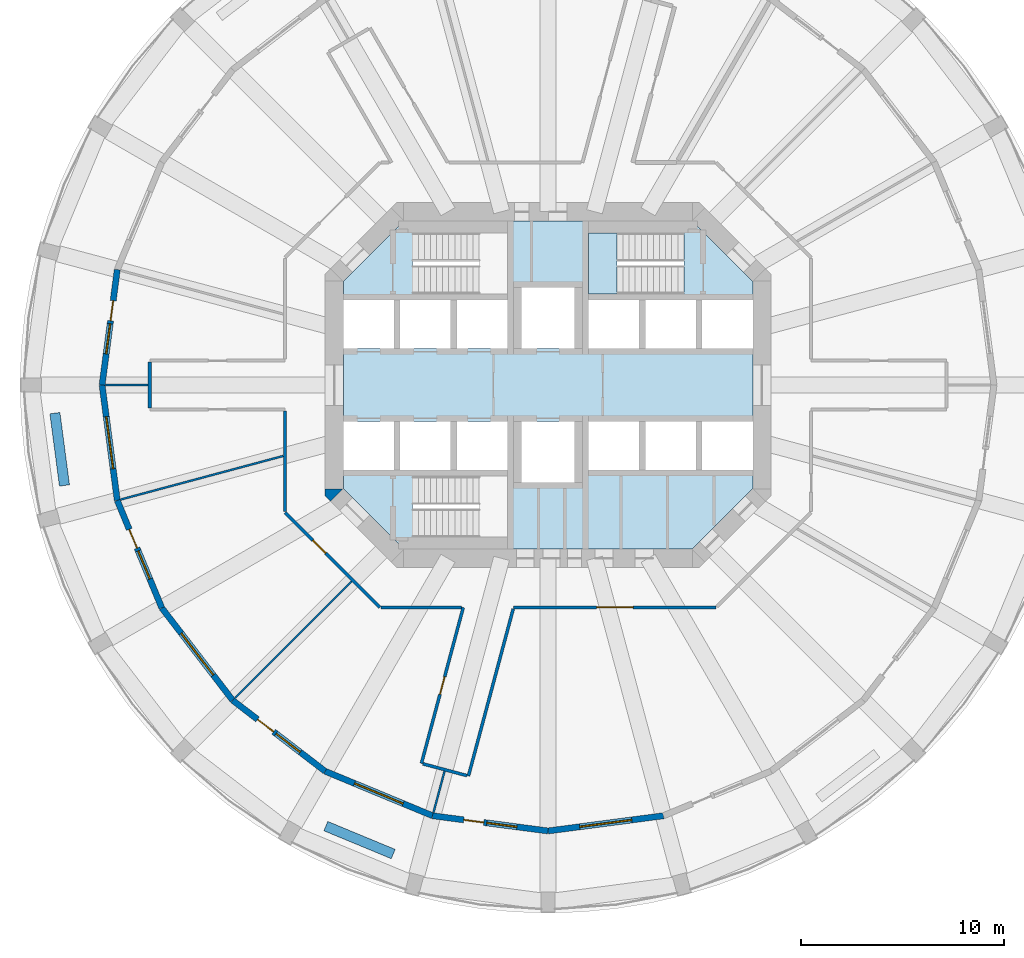
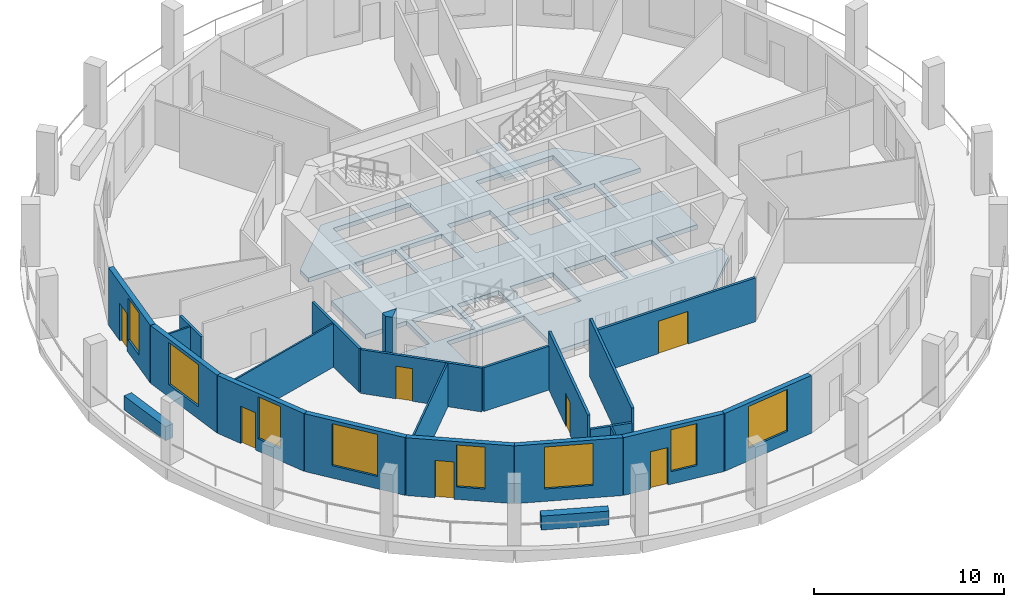
# One storey, part 2 of 9: 23 walls, 8 windows, 7 doors, 2 slabs, 15 openings, 1 element without a shape of its own.
"""IFC4 building model written with IfcOpenShell, lengths in metres."""

import ifcopenshell
import ifcopenshell.guid

model = None  # the IFC model being written
_history = None  # IfcOwnerHistory: only IFC2X3 demands one
_inside = {}  # id of a spatial element -> (the spatial element, [elements in it])
_under = {}  # id of a project, library or spatial element -> (it, [spatial elements below it])
_declared = {}  # id of a project -> (the project, [libraries it declares])
_typed = {}  # id of a type object -> (the type object, [elements of that type])
_made_of = {}  # id of a material, layer set ... -> (it, [elements and type objects made of it])


def new_model(schema):
    """Start an empty IFC model of exactly this schema.

    Asked for "IFC4X3", IfcOpenShell would pick the latest addendum, in which some entities
    have other attributes; the version numbers below select the first issue.
    IFC2X3 requires an IfcOwnerHistory on every rooted entity: one is made here for all.
    """
    global model, _history
    if schema == "IFC4X3":
        model = ifcopenshell.file(schema_version=(4, 3, 0, 0))
    else:
        model = ifcopenshell.file(schema=schema)
    _inside.clear()
    _under.clear()
    _declared.clear()
    _typed.clear()
    _made_of.clear()
    _history = None
    if model.schema == "IFC2X3":
        org = make("IfcOrganization", Name="unknown")
        user = make(
            "IfcPersonAndOrganization",
            ThePerson=make("IfcPerson", FamilyName="unknown"),
            TheOrganization=org,
        )
        app = make(
            "IfcApplication",
            ApplicationDeveloper=org,
            Version="unknown",
            ApplicationFullName="unknown",
            ApplicationIdentifier="unknown",
        )
        _history = make(
            "IfcOwnerHistory",
            OwningUser=user,
            OwningApplication=app,
            ChangeAction="ADDED",
            CreationDate=0,
        )
    return model


def make(cls, **values):
    """One entity of the class cls with the attributes given. An attribute that is None is left unset."""
    return model.create_entity(
        cls, **{name: value for name, value in values.items() if value is not None}
    )


def rooted(cls, **values):
    """An entity with a GlobalId (a new one), such as an element, a storey or a relation."""
    return make(cls, GlobalId=ifcopenshell.guid.new(), OwnerHistory=_history, **values)


def si_unit(unit_type, name, prefix=None):
    """IfcSIUnit, for example si_unit("LENGTHUNIT", "METRE", prefix="MILLI")."""
    return make("IfcSIUnit", UnitType=unit_type, Prefix=prefix, Name=name)


def assignment(units):
    """IfcUnitAssignment: the units of a project."""
    return None if units is None else make("IfcUnitAssignment", Units=units)


def point(xyz):
    """IfcCartesianPoint."""
    return None if xyz is None else make("IfcCartesianPoint", Coordinates=xyz)


def direction(xyz):
    """IfcDirection."""
    return None if xyz is None else make("IfcDirection", DirectionRatios=xyz)


def frame(location, z_axis=None, x_axis=None):
    """IfcAxis2Placement3D, a coordinate frame: its origin and axes. An axis left out is left unset."""
    return make(
        "IfcAxis2Placement3D",
        Location=point(location),
        Axis=direction(z_axis),
        RefDirection=direction(x_axis),
    )


def frame_2d(location, x_axis=None):
    """IfcAxis2Placement2D, a coordinate frame in the plane: its origin and x axis."""
    return make(
        "IfcAxis2Placement2D", Location=point(location), RefDirection=direction(x_axis)
    )


def origin():
    """The frame at (0, 0, 0) with its axes left unset."""
    return frame((0.0, 0.0, 0.0))


def place(relative_to, where):
    """IfcLocalPlacement: puts the frame where relative to a parent placement (None: the world)."""
    return make(
        "IfcLocalPlacement", PlacementRelTo=relative_to, RelativePlacement=where
    )


def context(
    kind, dimensions, precision=None, world=None, true_north=None, identifier=None
):
    """IfcGeometricRepresentationContext, for example the 3D "Model" context."""
    return make(
        "IfcGeometricRepresentationContext",
        ContextIdentifier=identifier,
        ContextType=kind,
        CoordinateSpaceDimension=dimensions,
        Precision=precision,
        WorldCoordinateSystem=world,
        TrueNorth=true_north,
    )


def subcontext(parent, identifier, kind, view, scale=None):
    """IfcGeometricRepresentationSubContext, for example "Body" below "Model"."""
    return make(
        "IfcGeometricRepresentationSubContext",
        ContextIdentifier=identifier,
        ContextType=kind,
        ParentContext=parent,
        TargetScale=scale,
        TargetView=view,
    )


def project(units=None, contexts=None):
    """IfcProject with its units and contexts."""
    return rooted(
        "IfcProject",
        Name="project",
        RepresentationContexts=contexts,
        UnitsInContext=assignment(units),
    )


def spatial(cls, under=None, at=None, **own):
    """A site, building, storey or space (cls), placed at a placement, below another one or the project."""
    s = rooted(cls, ObjectPlacement=at, **own)
    if under is not None:
        _under.setdefault(under.id(), (under, []))[1].append(s)
    return s


def polyline(points):
    """IfcPolyline through the points."""
    return make("IfcPolyline", Points=[point(p) for p in points])


def profile(cls, at=None, kind="AREA", **sizes):
    """A parametric profile (cls). Its sizes go by their IFC names, for example OverallWidth=200.0."""
    return make(cls, ProfileType=kind, Position=at, **sizes)


def rectangle(**sizes):
    """IfcRectangleProfileDef."""
    return profile("IfcRectangleProfileDef", **sizes)


def outline(outer, holes=None, kind="AREA"):
    """IfcArbitraryClosedProfileDef: a profile drawn as a closed curve; with holes, ...WithVoids."""
    if holes is None:
        return make("IfcArbitraryClosedProfileDef", ProfileType=kind, OuterCurve=outer)
    return make(
        "IfcArbitraryProfileDefWithVoids",
        ProfileType=kind,
        OuterCurve=outer,
        InnerCurves=holes,
    )


def extrude(swept, where, along, depth):
    """IfcExtrudedAreaSolid: the profile swept, set in the frame where, extruded along a direction by depth."""
    return make(
        "IfcExtrudedAreaSolid",
        SweptArea=swept,
        Position=where,
        ExtrudedDirection=direction(along),
        Depth=depth,
    )


def shape(context_of_items, identifier, shape_type, items):
    """IfcShapeRepresentation: the items that make up one representation, for example the "Body"."""
    return make(
        "IfcShapeRepresentation",
        ContextOfItems=context_of_items,
        RepresentationIdentifier=identifier,
        RepresentationType=shape_type,
        Items=items,
    )


def material(Name=None, Category=None):
    """IfcMaterial."""
    return make("IfcMaterial", Name=Name, Category=Category)


def layer(
    of_material, thickness, ventilated=None, Name=None, Category=None, Priority=None
):
    """IfcMaterialLayer: one layer of a wall or slab, of a material (None: an air gap)."""
    return make(
        "IfcMaterialLayer",
        Material=of_material,
        LayerThickness=thickness,
        IsVentilated=ventilated,
        Name=Name,
        Category=Category,
        Priority=Priority,
    )


def layer_set(layers, Name=None):
    """IfcMaterialLayerSet."""
    return make("IfcMaterialLayerSet", MaterialLayers=layers, LayerSetName=Name)


def made_of(thing, what):
    """Note that an element or type object is made of a material, layer set ...; save() writes the relation."""
    if what is not None:
        _made_of.setdefault(what.id(), (what, []))[1].append(thing)
    return thing


def type_object(cls, material=None, **own):
    """A type object (cls), such as IfcWallType, which elements share."""
    return made_of(rooted(cls, **own), material)


def element(
    cls,
    number,
    at=None,
    inside=None,
    cuts=None,
    type_object=None,
    material=None,
    context=None,
    identifier="Body",
    shape_type=None,
    held_by="IfcProductDefinitionShape",
    body=None,
    shapes=None,
    **own,
):
    """One element of the class cls, such as IfcWall. Its Tag is "e" and its number.

    at: its placement. inside: the storey or other place that contains it. cuts: it is an
    opening in that element (IfcRelVoidsElement). A single representation is given by context,
    identifier, shape_type and body (its items); several are given by shapes. held_by: the class
    of the entity that holds the representations. save() writes the other relations.
    """
    e = rooted(cls, Tag="e%d" % number, ObjectPlacement=at, **own)
    if body is not None:
        shapes = [shape(context, identifier, shape_type, body)]
    if shapes is not None:
        e.Representation = make(held_by, Representations=shapes)
    if inside is not None:
        _inside.setdefault(inside.id(), (inside, []))[1].append(e)
    if cuts is not None:
        rooted(
            "IfcRelVoidsElement", RelatingBuildingElement=cuts, RelatedOpeningElement=e
        )
    if type_object is not None:
        _typed.setdefault(type_object.id(), (type_object, []))[1].append(e)
    return made_of(e, material)


def fill(opening, filler):
    """IfcRelFillsElement: the door or window that sits in an opening."""
    return rooted(
        "IfcRelFillsElement",
        RelatingOpeningElement=opening,
        RelatedBuildingElement=filler,
    )


def aggregate(whole, parts):
    """IfcRelAggregates: a whole, such as a stair, and the parts it consists of."""
    return rooted("IfcRelAggregates", RelatingObject=whole, RelatedObjects=parts)


def save(model, path):
    """Write the relations noted so far, then the file.

    IfcRelAggregates (storeys below a building ...), IfcRelContainedInSpatialStructure (elements
    in a storey), IfcRelDefinesByType, IfcRelAssociatesMaterial and IfcRelDeclares: one each for
    every whole, place, type object, material and project.
    """
    for whole, parts in _under.values():
        aggregate(whole, parts)
    for where, things in _inside.values():
        rooted(
            "IfcRelContainedInSpatialStructure",
            RelatedElements=things,
            RelatingStructure=where,
        )
    for kind, things in _typed.values():
        rooted("IfcRelDefinesByType", RelatedObjects=things, RelatingType=kind)
    for what, things in _made_of.values():
        rooted("IfcRelAssociatesMaterial", RelatedObjects=things, RelatingMaterial=what)
    for by, libraries in _declared.values():
        rooted("IfcRelDeclares", RelatingContext=by, RelatedDefinitions=libraries)
    model.write(path)


model = new_model("IFC4")

# Units and contexts
model_context = context("Model", 3, precision=1e-05, world=origin(), true_north=direction((0.0, 1.0)))
body_context = subcontext(model_context, "Body", "Model", "MODEL_VIEW")
ifc_project = project(units=[si_unit("LENGTHUNIT", "METRE"), si_unit("AREAUNIT", "SQUARE_METRE"), si_unit("VOLUMEUNIT", "CUBIC_METRE"), si_unit("PLANEANGLEUNIT", "RADIAN"), si_unit("MASSUNIT", "GRAM", prefix="KILO")], contexts=[model_context])

# Site, building, storey
site_placement = place(None, origin())
site = spatial("IfcSite", under=ifc_project, at=site_placement, CompositionType="ELEMENT")
building_placement = place(site_placement, origin())
building = spatial("IfcBuilding", under=site, at=building_placement, Name="Torre Triforio", CompositionType="ELEMENT")
storey_placement = place(building_placement, frame((0.0, 0.0, 98.60009765625)))
storey = spatial("IfcBuildingStorey", under=building, at=storey_placement, Name="L21", CompositionType="ELEMENT", Elevation=98.60009765625)

# Slab
ifc_material_1 = material(Name="Concrete C60", Category="concrete")
ifc_layer_1 = layer(ifc_material_1, 0.280029296875)
ifc_layer_set_1 = layer_set([ifc_layer_1], Name="Concrete C60")
slab_type_1 = type_object("IfcSlabType", Name="Core floor slab 280 mm C60 REI 120", PredefinedType="FLOOR", material=ifc_layer_set_1)
slab_1_placement = place(storey_placement, frame((0.0, 0.0, -0.280029296875)))
element("IfcSlab", 1, at=slab_1_placement, inside=storey, type_object=slab_type_1, Name="Core floor slab", PredefinedType="FLOOR", context=body_context, shape_type="SweptSolid", body=[
    extrude(outline(polyline([(10.10009765625, -5.10009765625), (7.10009765625, -8.10009765625), (-7.10009765625, -8.10009765625), (-10.10009765625, -5.10009765625), (-10.10009765625, -4.199951171875), (-7.60009765625, -4.199951171875), (-7.60009765625, -1.800048828125), (-10.10009765625, -1.800048828125), (-10.10009765625, 1.800048828125), (-7.60009765625, 1.800048828125), (-7.60009765625, 4.199951171875), (-10.10009765625, 4.199951171875), (-10.10009765625, 5.10009765625), (-7.10009765625, 8.10009765625), (7.10009765625, 8.10009765625), (10.10009765625, 5.10009765625), (10.10009765625, 4.199951171875), (7.60009765625, 4.199951171875), (7.60009765625, 1.800048828125), (10.10009765625, 1.800048828125), (10.10009765625, -1.800048828125), (7.60009765625, -1.800048828125), (7.60009765625, -4.199951171875), (10.10009765625, -4.199951171875), (10.10009765625, -5.10009765625)]), holes=[polyline([(-2.0, -4.5), (-6.696044921875, -4.5), (-6.696044921875, -7.5), (-2.0, -7.5), (-2.0, -4.5)]), polyline([(-4.800048828125, -1.800048828125), (-7.300048828125, -1.800048828125), (-7.300048828125, -4.199951171875), (-4.800048828125, -4.199951171875), (-4.800048828125, -1.800048828125)]), polyline([(-2.0, -1.800048828125), (-4.5, -1.800048828125), (-4.5, -4.199951171875), (-2.0, -4.199951171875), (-2.0, -1.800048828125)]), polyline([(-4.800048828125, 4.199951171875), (-7.300048828125, 4.199951171875), (-7.300048828125, 1.800048828125), (-4.800048828125, 1.800048828125), (-4.800048828125, 4.199951171875)]), polyline([(-2.0, 4.199951171875), (-4.5, 4.199951171875), (-4.5, 1.800048828125), (-2.0, 1.800048828125), (-2.0, 4.199951171875)]), polyline([(1.300048828125, 4.800048828125), (-1.300048828125, 4.800048828125), (-1.300048828125, 1.800048828125), (1.300048828125, 1.800048828125), (1.300048828125, 4.800048828125)]), polyline([(-2.0, 7.5), (-6.696044921875, 7.5), (-6.696044921875, 4.5), (-2.0, 4.5), (-2.0, 7.5)]), polyline([(1.300048828125, -1.800048828125), (-1.300048828125, -1.800048828125), (-1.300048828125, -4.800048828125), (1.300048828125, -4.800048828125), (1.300048828125, -1.800048828125)]), polyline([(4.5, -1.800048828125), (2.0, -1.800048828125), (2.0, -4.199951171875), (4.5, -4.199951171875), (4.5, -1.800048828125)]), polyline([(7.300048828125, -1.800048828125), (4.800048828125, -1.800048828125), (4.800048828125, -4.199951171875), (7.300048828125, -4.199951171875), (7.300048828125, -1.800048828125)]), polyline([(4.5, 4.199951171875), (2.0, 4.199951171875), (2.0, 1.800048828125), (4.5, 1.800048828125), (4.5, 4.199951171875)]), polyline([(7.300048828125, 4.199951171875), (4.800048828125, 4.199951171875), (4.800048828125, 1.800048828125), (7.300048828125, 1.800048828125), (7.300048828125, 4.199951171875)]), polyline([(6.696044921875, 4.5), (6.696044921875, 7.5), (2.0, 7.5), (2.0, 4.5), (6.696044921875, 4.5)])]), origin(), (0.0, 0.0, 1.0), 0.280029296875),
])

# Stair, slab
ifc_material_2 = material(Name="Concrete C40", Category="concrete")
stair_type = type_object("IfcStairType", Name="STAIR HALF-TURN", PredefinedType="HALF_TURN_STAIR", material=ifc_material_2)
stair_placement = place(storey_placement, origin())
stair = element("IfcStair", 2, at=stair_placement, inside=storey, type_object=stair_type, Name="Exit stair 2", PredefinedType="HALF_TURN_STAIR")
ifc_layer_2 = layer(ifc_material_2, 0.199951171875)
ifc_layer_set_2 = layer_set([ifc_layer_2], Name="Concrete C40")
slab_type_2 = type_object("IfcSlabType", Name="STAIR LANDING 200", PredefinedType="LANDING", material=ifc_layer_set_2)
slab_2_placement = place(storey_placement, frame((0.0, 0.0, 1.7998046875)))
slab_2 = element("IfcSlab", 3, at=slab_2_placement, type_object=slab_type_2, Name="ST2 landing 1", PredefinedType="LANDING", context=body_context, shape_type="SweptSolid", body=[
    extrude(outline(polyline([(3.39990234375, 4.5), (3.39990234375, 7.5), (2.0, 7.5), (2.0, 4.5), (3.39990234375, 4.5)])), origin(), (0.0, 0.0, 1.0), 0.2001953125),
])
aggregate(stair, [slab_2])

# Wall
ifc_layer_3 = layer(ifc_material_1, 0.89990234375)
ifc_layer_set_3 = layer_set([ifc_layer_3], Name="Concrete C60")
wall_type_1 = type_object("IfcWallType", Name="Core wall 900 mm C60 EI 120", PredefinedType="SHEAR", material=ifc_layer_set_3)
wall_1_placement = place(storey_placement, frame((0.0, 0.0, -0.280029296875)))
element("IfcWall", 4, at=wall_1_placement, inside=storey, type_object=wall_type_1, Name="Core wall", PredefinedType="SHEAR", context=body_context, shape_type="SweptSolid", body=[
    extrude(outline(polyline([(-11.0, -5.472900390625), (-11.0, -5.1298828125), (-10.1298828125, -5.1298828125), (-10.736328125, -5.736328125), (-11.0, -5.472900390625)])), origin(), (0.0, 0.0, 1.0), 4.0),
])

# Wall, opening, door
ifc_material_3 = material(Name="Plasterboard on metal studs")
ifc_layer_4 = layer(ifc_material_3, 0.14990234375)
ifc_layer_set_4 = layer_set([ifc_layer_4], Name="Plasterboard on metal studs")
wall_type_2 = type_object("IfcWallType", Name="Corridor and tenancy wall 150 mm EI 60", PredefinedType="PARTITIONING", material=ifc_layer_set_4)
wall_2_placement = place(storey_placement, frame((-8.291015625, -10.97509765625, 0.0), z_axis=(0.0, 0.0, 1.0), x_axis=(-0.707106781187, 0.707106781187, 0.0)))
wall_2 = element("IfcWall", 5, at=wall_2_placement, inside=storey, type_object=wall_type_2, Name="Partition 1", PredefinedType="PARTITIONING", context=body_context, shape_type="SweptSolid", body=[
    extrude(rectangle(XDim=6.624267578125, YDim=0.14990234375, at=frame_2d((3.31201171875, 0.0))), origin(), (0.0, 0.0, 1.0), 2.81982421875),
])
opening_1_placement = place(wall_2_placement, frame((3.7861328125, 0.0, 0.0)))
opening_1 = element("IfcOpeningElement", 6, at=opening_1_placement, cuts=wall_2, Name="Opening N7-04", PredefinedType="OPENING", context=body_context, shape_type="SweptSolid", body=[
    extrude(rectangle(XDim=0.89990234375, YDim=2.10009765625, at=frame_2d((0.449951171875, 1.050048828125))), frame((0.0, 0.0849609375, 0.0), z_axis=(0.0, -1.0, 0.0), x_axis=(1.0, 0.0, 0.0)), (0.0, 0.0, 1.0), 0.169921875),
])
ifc_material_4 = material(Name="Timber", Category="wood")
door_type_1 = type_object("IfcDoorType", Name="Door 900 x 2100 single leaf EI 30", OperationType="NOTDEFINED", PredefinedType="DOOR", material=ifc_material_4)
door_1_placement = place(opening_1_placement, origin())
door_1 = element("IfcDoor", 7, at=door_1_placement, inside=storey, type_object=door_type_1, Name="Door N7-04", OperationType="SINGLE_SWING_RIGHT", OverallHeight=2.10009765625, OverallWidth=0.89990234375, PredefinedType="DOOR", context=body_context, shape_type="SweptSolid", body=[
    extrude(rectangle(XDim=0.89990234375, YDim=2.10009765625, at=frame_2d((0.449951171875, 1.050048828125))), frame((0.0, 0.02490234375, 0.0), z_axis=(0.0, -1.0, 0.0), x_axis=(1.0, 0.0, 0.0)), (0.0, 0.0, 1.0), 0.050048828125),
])
fill(opening_1, door_1)

# Walls
wall_3_placement = place(storey_placement, frame((-12.97509765625, -6.23828125, 0.0), z_axis=(0.0, 0.0, 1.0), x_axis=(0.0, 1.0, 0.0)))
element("IfcWall", 8, at=wall_3_placement, inside=storey, type_object=wall_type_2, Name="Partition 2", PredefinedType="PARTITIONING", context=body_context, shape_type="SweptSolid", body=[
    extrude(rectangle(XDim=4.96337890625, YDim=0.14990234375, at=frame_2d((2.481689453125, 0.0))), origin(), (0.0, 0.0, 1.0), 2.81982421875),
])
wall_4_placement = place(storey_placement, frame((-19.648681640625, -1.125, 0.0), z_axis=(0.0, 0.0, 1.0), x_axis=(0.0, 1.0, 0.0)))
element("IfcWall", 9, at=wall_4_placement, inside=storey, type_object=wall_type_2, Name="Partition 4", PredefinedType="PARTITIONING", context=body_context, shape_type="SweptSolid", body=[
    extrude(rectangle(XDim=2.25, YDim=0.14990234375, at=frame_2d((1.125, 0.0))), origin(), (0.0, 0.0, 1.0), 2.81982421875),
])

# Wall, opening, door
wall_5_placement = place(storey_placement, frame((8.291015625, -10.97509765625, 0.0), z_axis=(0.0, 0.0, 1.0), x_axis=(-1.0, 0.0, 0.0)))
wall_5 = element("IfcWall", 10, at=wall_5_placement, inside=storey, type_object=wall_type_2, Name="Partition 26", PredefinedType="PARTITIONING", context=body_context, shape_type="SweptSolid", body=[
    extrude(rectangle(XDim=9.989501953125, YDim=0.14990234375, at=frame_2d((4.99462890625, 0.0))), origin(), (0.0, 0.0, 1.0), 2.81982421875),
])
opening_2_placement = place(wall_5_placement, frame((4.094482421875, 0.0, 0.0)))
opening_2 = element("IfcOpeningElement", 11, at=opening_2_placement, cuts=wall_5, Name="Opening N7-06", PredefinedType="OPENING", context=body_context, shape_type="SweptSolid", body=[
    extrude(rectangle(XDim=1.800048828125, YDim=2.10009765625, at=frame_2d((0.89990234375, 1.050048828125))), frame((0.0, 0.0849609375, 0.0), z_axis=(0.0, -1.0, 0.0), x_axis=(1.0, 0.0, 0.0)), (0.0, 0.0, 1.0), 0.169921875),
])
door_type_2 = type_object("IfcDoorType", Name="Door 1800 x 2100 double leaf EI 30", OperationType="DOUBLE_DOOR_SINGLE_SWING", PredefinedType="DOOR", material=ifc_material_4)
door_2_placement = place(opening_2_placement, origin())
door_2 = element("IfcDoor", 12, at=door_2_placement, inside=storey, type_object=door_type_2, Name="Door N7-06", OperationType="DOUBLE_DOOR_SINGLE_SWING", OverallHeight=2.10009765625, OverallWidth=1.800048828125, PredefinedType="DOOR", context=body_context, shape_type="SweptSolid", body=[
    extrude(rectangle(XDim=1.800048828125, YDim=2.10009765625, at=frame_2d((0.89990234375, 1.050048828125))), frame((0.0, 0.02490234375, 0.0), z_axis=(0.0, -1.0, 0.0), x_axis=(1.0, 0.0, 0.0)), (0.0, 0.0, 1.0), 0.050048828125),
])
fill(opening_2, door_2)

# Walls
wall_6_placement = place(storey_placement, frame((-1.71728515625, -11.044921875, 0.0), z_axis=(0.0, 0.0, 1.0), x_axis=(-0.258794702264, -0.965932348604, 0.0)))
element("IfcWall", 13, at=wall_6_placement, inside=storey, type_object=wall_type_2, Name="Partition 27", PredefinedType="PARTITIONING", context=body_context, shape_type="SweptSolid", body=[
    extrude(rectangle(XDim=8.53564453125, YDim=0.14990234375, at=frame_2d((4.267822265625, 0.0))), origin(), (0.0, 0.0, 1.0), 3.719970703125),
])
wall_7_placement = place(storey_placement, frame((-3.998779296875, -19.2705078125, 0.0), z_axis=(0.0, 0.0, 1.0), x_axis=(-0.965906393436, 0.258891558609, 0.0)))
element("IfcWall", 14, at=wall_7_placement, inside=storey, type_object=wall_type_2, Name="Partition 28", PredefinedType="PARTITIONING", context=body_context, shape_type="SweptSolid", body=[
    extrude(rectangle(XDim=2.25, YDim=0.14990234375, at=frame_2d((1.125, 0.0))), origin(), (0.0, 0.0, 1.0), 2.81982421875),
])

# Wall, opening, door
wall_8_placement = place(storey_placement, frame((-6.24462890625, -18.668701171875, 0.0), z_axis=(0.0, 0.0, 1.0), x_axis=(0.258822393938, 0.965924928965, 0.0)))
wall_8 = element("IfcWall", 15, at=wall_8_placement, inside=storey, type_object=wall_type_2, Name="Partition 29", PredefinedType="PARTITIONING", context=body_context, shape_type="SweptSolid", body=[
    extrude(rectangle(XDim=7.965087890625, YDim=0.14990234375, at=frame_2d((3.982421875, 0.0))), origin(), (0.0, 0.0, 1.0), 3.719970703125),
])
opening_3_placement = place(wall_8_placement, frame((3.532470703125, 0.0, 0.0)))
opening_3 = element("IfcOpeningElement", 16, at=opening_3_placement, cuts=wall_8, Name="Opening N7-05", PredefinedType="OPENING", context=body_context, shape_type="SweptSolid", body=[
    extrude(rectangle(XDim=0.89990234375, YDim=2.10009765625, at=frame_2d((0.449951171875, 1.050048828125))), frame((0.0, 0.0849609375, 0.0), z_axis=(0.0, -1.0, 0.0), x_axis=(1.0, 0.0, 0.0)), (0.0, 0.0, 1.0), 0.169921875),
])
door_3_placement = place(opening_3_placement, origin())
door_3 = element("IfcDoor", 17, at=door_3_placement, inside=storey, type_object=door_type_1, Name="Door N7-05", OperationType="SINGLE_SWING_LEFT", OverallHeight=2.10009765625, OverallWidth=0.89990234375, PredefinedType="DOOR", context=body_context, shape_type="SweptSolid", body=[
    extrude(rectangle(XDim=0.89990234375, YDim=2.10009765625, at=frame_2d((0.449951171875, 1.050048828125))), frame((0.0, 0.02490234375, 0.0), z_axis=(0.0, -1.0, 0.0), x_axis=(1.0, 0.0, 0.0)), (0.0, 0.0, 1.0), 0.050048828125),
])
fill(opening_3, door_3)

# Walls
wall_9_placement = place(storey_placement, frame((-4.280517578125, -10.97509765625, 0.0), z_axis=(0.0, 0.0, 1.0), x_axis=(-1.0, 0.0, 0.0)))
element("IfcWall", 18, at=wall_9_placement, inside=storey, type_object=wall_type_2, Name="Partition 30", PredefinedType="PARTITIONING", context=body_context, shape_type="SweptSolid", body=[
    extrude(rectangle(XDim=3.957763671875, YDim=0.14990234375, at=frame_2d((1.97900390625, 0.0))), origin(), (0.0, 0.0, 1.0), 2.81982421875),
])
ifc_layer_5 = layer(ifc_material_3, 0.10009765625)
ifc_layer_set_5 = layer_set([ifc_layer_5], Name="Plasterboard on metal studs")
wall_type_3 = type_object("IfcWallType", Name="Partition 100 mm board on metal studs", PredefinedType="PARTITIONING", material=ifc_layer_set_5)
wall_10_placement = place(storey_placement, frame((-19.7236328125, 0.0, 0.0), z_axis=(0.0, 0.0, 1.0), x_axis=(-1.0, 0.0, 0.0)))
element("IfcWall", 19, at=wall_10_placement, inside=storey, type_object=wall_type_3, Name="Partition 39", PredefinedType="PARTITIONING", context=body_context, shape_type="SweptSolid", body=[
    extrude(rectangle(XDim=2.113037109375, YDim=0.10009765625, at=frame_2d((1.056640625, 0.0))), origin(), (0.0, 0.0, 1.0), 2.81982421875),
])
wall_11_placement = place(storey_placement, frame((-13.064208984375, -3.50048828125, 0.0), z_axis=(0.0, 0.0, 1.0), x_axis=(-0.965920254223, -0.258839839442, 0.0)))
element("IfcWall", 20, at=wall_11_placement, inside=storey, type_object=wall_type_3, Name="Partition 40", PredefinedType="PARTITIONING", context=body_context, shape_type="SweptSolid", body=[
    extrude(rectangle(XDim=8.3115234375, YDim=0.10009765625, at=frame_2d((4.15576171875, 0.0))), origin(), (0.0, 0.0, 1.0), 2.81982421875),
])
wall_12_placement = place(storey_placement, frame((-9.68603515625, -9.68603515625, 0.0), z_axis=(0.0, 0.0, 1.0), x_axis=(-0.707106781187, -0.707106781187, 0.0)))
element("IfcWall", 21, at=wall_12_placement, inside=storey, type_object=wall_type_3, Name="Partition 41", PredefinedType="PARTITIONING", context=body_context, shape_type="SweptSolid", body=[
    extrude(rectangle(XDim=8.138671875, YDim=0.10009765625, at=frame_2d((4.0693359375, 0.0))), origin(), (0.0, 0.0, 1.0), 2.81982421875),
])
wall_13_placement = place(storey_placement, frame((-5.10498046875, -19.051513671875, 0.0), z_axis=(0.0, 0.0, 1.0), x_axis=(-0.258813089189, -0.965927422152, 0.0)))
element("IfcWall", 22, at=wall_13_placement, inside=storey, type_object=wall_type_3, Name="Partition 42", PredefinedType="PARTITIONING", context=body_context, shape_type="SweptSolid", body=[
    extrude(rectangle(XDim=2.113037109375, YDim=0.10009765625, at=frame_2d((1.056640625, 0.0))), origin(), (0.0, 0.0, 1.0), 2.81982421875),
])
ifc_material_5 = material(Name="Limestone cladding", Category="masonry")
ifc_layer_6 = layer(ifc_material_5, 0.10009765625)
ifc_layer_7 = layer(ifc_material_2, 0.39990234375)
ifc_layer_set_6 = layer_set([ifc_layer_6, ifc_layer_7], Name="Limestone cladding / Concrete C40")
wall_type_4 = type_object("IfcWallType", Name="Planter wall 500", PredefinedType="PARAPET", material=ifc_layer_set_6)
for number, where, z_axis, x_axis, name in (
    (23, (-24.3271484375, -1.38720703125, 0.0), (0.0, 0.0, 1.0), (0.130551000099, -0.991441595039, 0.0), "Planter L21 bay 13"),
    (24, (-10.962158203125, -21.761474609375, 0.0), (0.0, 0.0, 1.0), (0.923875488976, -0.382693194178, 0.0), "Planter L21 bay 17"),
):
    element("IfcWall", number, at=place(storey_placement, frame(where, z_axis=z_axis, x_axis=x_axis)), inside=storey, type_object=wall_type_4, Name=name, PredefinedType="PARAPET", context=body_context, shape_type="SweptSolid", body=[
        extrude(rectangle(XDim=3.599853515625, YDim=0.5, at=frame_2d((1.7998046875, 0.0))), origin(), (0.0, 0.0, 1.0), 0.89990234375),
    ])

# Wall, openings, door, window
ifc_layer_8 = layer(ifc_material_5, 0.10009765625)
ifc_layer_9 = layer(ifc_material_2, 0.199951171875)
ifc_layer_set_7 = layer_set([ifc_layer_8, ifc_layer_9], Name="Limestone cladding / Concrete C40")
wall_type_5 = type_object("IfcWallType", Name="Stone-faced composite wall 300", PredefinedType="STANDARD", material=ifc_layer_set_7)
wall_14_placement = place(storey_placement, frame((-21.25048828125, 5.694091796875, 0.0), z_axis=(0.0, 0.0, 1.0), x_axis=(-0.130503995834, -0.991447783331, 0.0)))
wall_14 = element("IfcWall", 25, at=wall_14_placement, inside=storey, type_object=wall_type_5, Name="External wall L21 bay 12", PredefinedType="STANDARD", context=body_context, shape_type="SweptSolid", body=[
    extrude(rectangle(XDim=5.7431640625, YDim=0.300048828125, at=frame_2d((2.87158203125, 0.0))), origin(), (0.0, 0.0, 1.0), 3.719970703125),
])
opening_4_placement = place(wall_14_placement, frame((1.546630859375, 0.0, 0.0)))
opening_4 = element("IfcOpeningElement", 26, at=opening_4_placement, cuts=wall_14, Name="Opening N7-D12", PredefinedType="OPENING", context=body_context, shape_type="SweptSolid", body=[
    extrude(rectangle(XDim=1.0, YDim=2.39990234375, at=frame_2d((0.5, 1.199951171875))), frame((0.0, 0.159912109375, 0.0), z_axis=(0.0, -1.0, 0.0), x_axis=(1.0, 0.0, 0.0)), (0.0, 0.0, 1.0), 0.320068359375),
])
opening_5_placement = place(wall_14_placement, frame((2.696533203125, 0.0, 0.800048828125)))
opening_5 = element("IfcOpeningElement", 27, at=opening_5_placement, cuts=wall_14, Name="Opening N7-W12A", PredefinedType="OPENING", context=body_context, shape_type="SweptSolid", body=[
    extrude(rectangle(XDim=1.5, YDim=2.699951171875, at=frame_2d((0.75, 1.35009765625))), frame((0.0, 0.159912109375, 0.0), z_axis=(0.0, -1.0, 0.0), x_axis=(1.0, 0.0, 0.0)), (0.0, 0.0, 1.0), 0.320068359375),
])
ifc_material_6 = material(Name="Aluminium frame with clear double glazing", Category="aluminium")
door_type_3 = type_object("IfcDoorType", Name="Loggia door 1000 x 2400", OperationType="NOTDEFINED", PredefinedType="DOOR", material=ifc_material_6)
door_4_placement = place(opening_4_placement, origin())
door_4 = element("IfcDoor", 28, at=door_4_placement, inside=storey, type_object=door_type_3, Name="Loggia door L21 bay 12", OperationType="SINGLE_SWING_RIGHT", OverallHeight=2.39990234375, OverallWidth=1.0, PredefinedType="DOOR", context=body_context, shape_type="SweptSolid", body=[
    extrude(rectangle(XDim=1.0, YDim=2.39990234375, at=frame_2d((0.5, 1.199951171875))), frame((0.0, 0.02490234375, 0.0), z_axis=(0.0, -1.0, 0.0), x_axis=(1.0, 0.0, 0.0)), (0.0, 0.0, 1.0), 0.050048828125),
])
fill(opening_4, door_4)
window_type_1 = type_object("IfcWindowType", Name="Side window 1500 x 2700", PartitioningType="SINGLE_PANEL", PredefinedType="WINDOW", material=ifc_material_6)
window_1_placement = place(opening_5_placement, origin())
window_1 = element("IfcWindow", 29, at=window_1_placement, inside=storey, type_object=window_type_1, Name="Side window EWN12 L21 bay 12", OverallHeight=2.699951171875, OverallWidth=1.5, PartitioningType="SINGLE_PANEL", PredefinedType="WINDOW", context=body_context, shape_type="SweptSolid", body=[
    extrude(rectangle(XDim=1.5, YDim=2.699951171875, at=frame_2d((0.75, 1.35009765625))), frame((0.0, 0.030029296875, 0.0), z_axis=(0.0, -1.0, 0.0), x_axis=(1.0, 0.0, 0.0)), (0.0, 0.0, 1.0), 0.06005859375),
])
fill(opening_5, window_1)

# Wall, opening, window
wall_15_placement = place(storey_placement, frame((-22.0, 0.0, 0.0), z_axis=(0.0, 0.0, 1.0), x_axis=(0.130503995834, -0.991447783331, 0.0)))
wall_15 = element("IfcWall", 30, at=wall_15_placement, inside=storey, type_object=wall_type_5, Name="External wall L21 bay 13", PredefinedType="STANDARD", context=body_context, shape_type="SweptSolid", body=[
    extrude(rectangle(XDim=5.7431640625, YDim=0.300048828125, at=frame_2d((2.87158203125, 0.0))), origin(), (0.0, 0.0, 1.0), 3.719970703125),
])
opening_6_placement = place(wall_15_placement, frame((1.571533203125, 0.0, 0.800048828125)))
opening_6 = element("IfcOpeningElement", 31, at=opening_6_placement, cuts=wall_15, Name="Opening N7-W13", PredefinedType="OPENING", context=body_context, shape_type="SweptSolid", body=[
    extrude(rectangle(XDim=2.60009765625, YDim=2.699951171875, at=frame_2d((1.300048828125, 1.35009765625))), frame((0.0, 0.159912109375, 0.0), z_axis=(0.0, -1.0, 0.0), x_axis=(1.0, 0.0, 0.0)), (0.0, 0.0, 1.0), 0.320068359375),
])
window_type_2 = type_object("IfcWindowType", Name="Punched window 2600 x 2700", PartitioningType="DOUBLE_PANEL_VERTICAL", PredefinedType="WINDOW", material=ifc_material_6)
window_2_placement = place(opening_6_placement, origin())
window_2 = element("IfcWindow", 32, at=window_2_placement, inside=storey, type_object=window_type_2, Name="Window EWN2 L21 bay 13", OverallHeight=2.699951171875, OverallWidth=2.60009765625, PartitioningType="SINGLE_PANEL", PredefinedType="WINDOW", context=body_context, shape_type="SweptSolid", body=[
    extrude(rectangle(XDim=2.60009765625, YDim=2.699951171875, at=frame_2d((1.300048828125, 1.35009765625))), frame((0.0, 0.030029296875, 0.0), z_axis=(0.0, -1.0, 0.0), x_axis=(1.0, 0.0, 0.0)), (0.0, 0.0, 1.0), 0.06005859375),
])
fill(opening_6, window_2)

# Wall, openings, door, window
wall_16_placement = place(storey_placement, frame((-21.25048828125, -5.694091796875, 0.0), z_axis=(0.0, 0.0, 1.0), x_axis=(0.382715966503, -0.923866055759, 0.0)))
wall_16 = element("IfcWall", 33, at=wall_16_placement, inside=storey, type_object=wall_type_5, Name="External wall L21 bay 14", PredefinedType="STANDARD", context=body_context, shape_type="SweptSolid", body=[
    extrude(rectangle(XDim=5.7431640625, YDim=0.300048828125, at=frame_2d((2.87158203125, 0.0))), origin(), (0.0, 0.0, 1.0), 3.719970703125),
])
opening_7_placement = place(wall_16_placement, frame((1.546630859375, 0.0, 0.0)))
opening_7 = element("IfcOpeningElement", 34, at=opening_7_placement, cuts=wall_16, Name="Opening N7-D14", PredefinedType="OPENING", context=body_context, shape_type="SweptSolid", body=[
    extrude(rectangle(XDim=1.0, YDim=2.39990234375, at=frame_2d((0.5, 1.199951171875))), frame((0.0, 0.159912109375, 0.0), z_axis=(0.0, -1.0, 0.0), x_axis=(1.0, 0.0, 0.0)), (0.0, 0.0, 1.0), 0.320068359375),
])
opening_8_placement = place(wall_16_placement, frame((2.696533203125, 0.0, 0.800048828125)))
opening_8 = element("IfcOpeningElement", 35, at=opening_8_placement, cuts=wall_16, Name="Opening N7-W14A", PredefinedType="OPENING", context=body_context, shape_type="SweptSolid", body=[
    extrude(rectangle(XDim=1.5, YDim=2.699951171875, at=frame_2d((0.75, 1.35009765625))), frame((0.0, 0.159912109375, 0.0), z_axis=(0.0, -1.0, 0.0), x_axis=(1.0, 0.0, 0.0)), (0.0, 0.0, 1.0), 0.320068359375),
])
door_5_placement = place(opening_7_placement, origin())
door_5 = element("IfcDoor", 36, at=door_5_placement, inside=storey, type_object=door_type_3, Name="Loggia door L21 bay 14", OperationType="SINGLE_SWING_LEFT", OverallHeight=2.39990234375, OverallWidth=1.0, PredefinedType="DOOR", context=body_context, shape_type="SweptSolid", body=[
    extrude(rectangle(XDim=1.0, YDim=2.39990234375, at=frame_2d((0.5, 1.199951171875))), frame((0.0, 0.02490234375, 0.0), z_axis=(0.0, -1.0, 0.0), x_axis=(1.0, 0.0, 0.0)), (0.0, 0.0, 1.0), 0.050048828125),
])
fill(opening_7, door_5)
window_3_placement = place(opening_8_placement, origin())
window_3 = element("IfcWindow", 37, at=window_3_placement, inside=storey, type_object=window_type_1, Name="Side window EWN12 L21 bay 14", OverallHeight=2.699951171875, OverallWidth=1.5, PartitioningType="SINGLE_PANEL", PredefinedType="WINDOW", context=body_context, shape_type="SweptSolid", body=[
    extrude(rectangle(XDim=1.5, YDim=2.699951171875, at=frame_2d((0.75, 1.35009765625))), frame((0.0, 0.030029296875, 0.0), z_axis=(0.0, -1.0, 0.0), x_axis=(1.0, 0.0, 0.0)), (0.0, 0.0, 1.0), 0.06005859375),
])
fill(opening_8, window_3)

# Wall, opening, window
wall_17_placement = place(storey_placement, frame((-19.052490234375, -11.0, 0.0), z_axis=(0.0, 0.0, 1.0), x_axis=(0.608744744291, -0.793366142647, 0.0)))
wall_17 = element("IfcWall", 38, at=wall_17_placement, inside=storey, type_object=wall_type_5, Name="External wall L21 bay 15", PredefinedType="STANDARD", context=body_context, shape_type="SweptSolid", body=[
    extrude(rectangle(XDim=5.7431640625, YDim=0.300048828125, at=frame_2d((2.87158203125, 0.0))), origin(), (0.0, 0.0, 1.0), 3.719970703125),
])
opening_9_placement = place(wall_17_placement, frame((1.571533203125, 0.0, 0.800048828125)))
opening_9 = element("IfcOpeningElement", 39, at=opening_9_placement, cuts=wall_17, Name="Opening N7-W15", PredefinedType="OPENING", context=body_context, shape_type="SweptSolid", body=[
    extrude(rectangle(XDim=2.60009765625, YDim=2.699951171875, at=frame_2d((1.300048828125, 1.35009765625))), frame((0.0, 0.159912109375, 0.0), z_axis=(0.0, -1.0, 0.0), x_axis=(1.0, 0.0, 0.0)), (0.0, 0.0, 1.0), 0.320068359375),
])
window_4_placement = place(opening_9_placement, origin())
window_4 = element("IfcWindow", 40, at=window_4_placement, inside=storey, type_object=window_type_2, Name="Window EWN2 L21 bay 15", OverallHeight=2.699951171875, OverallWidth=2.60009765625, PartitioningType="SINGLE_PANEL", PredefinedType="WINDOW", context=body_context, shape_type="SweptSolid", body=[
    extrude(rectangle(XDim=2.60009765625, YDim=2.699951171875, at=frame_2d((1.300048828125, 1.35009765625))), frame((0.0, 0.030029296875, 0.0), z_axis=(0.0, -1.0, 0.0), x_axis=(1.0, 0.0, 0.0)), (0.0, 0.0, 1.0), 0.06005859375),
])
fill(opening_9, window_4)

# Wall, openings, door, window
wall_18_placement = place(storey_placement, frame((-15.556396484375, -15.556396484375, 0.0), z_axis=(0.0, 0.0, 1.0), x_axis=(0.793366142647, -0.608744744291, 0.0)))
wall_18 = element("IfcWall", 41, at=wall_18_placement, inside=storey, type_object=wall_type_5, Name="External wall L21 bay 16", PredefinedType="STANDARD", context=body_context, shape_type="SweptSolid", body=[
    extrude(rectangle(XDim=5.7431640625, YDim=0.300048828125, at=frame_2d((2.87158203125, 0.0))), origin(), (0.0, 0.0, 1.0), 3.719970703125),
])
opening_10_placement = place(wall_18_placement, frame((1.546630859375, 0.0, 0.0)))
opening_10 = element("IfcOpeningElement", 42, at=opening_10_placement, cuts=wall_18, Name="Opening N7-D16", PredefinedType="OPENING", context=body_context, shape_type="SweptSolid", body=[
    extrude(rectangle(XDim=1.0, YDim=2.39990234375, at=frame_2d((0.5, 1.199951171875))), frame((0.0, 0.159912109375, 0.0), z_axis=(0.0, -1.0, 0.0), x_axis=(1.0, 0.0, 0.0)), (0.0, 0.0, 1.0), 0.320068359375),
])
opening_11_placement = place(wall_18_placement, frame((2.696533203125, 0.0, 0.800048828125)))
opening_11 = element("IfcOpeningElement", 43, at=opening_11_placement, cuts=wall_18, Name="Opening N7-W16A", PredefinedType="OPENING", context=body_context, shape_type="SweptSolid", body=[
    extrude(rectangle(XDim=1.5, YDim=2.699951171875, at=frame_2d((0.75, 1.35009765625))), frame((0.0, 0.159912109375, 0.0), z_axis=(0.0, -1.0, 0.0), x_axis=(1.0, 0.0, 0.0)), (0.0, 0.0, 1.0), 0.320068359375),
])
door_6_placement = place(opening_10_placement, origin())
door_6 = element("IfcDoor", 44, at=door_6_placement, inside=storey, type_object=door_type_3, Name="Loggia door L21 bay 16", OperationType="SINGLE_SWING_LEFT", OverallHeight=2.39990234375, OverallWidth=1.0, PredefinedType="DOOR", context=body_context, shape_type="SweptSolid", body=[
    extrude(rectangle(XDim=1.0, YDim=2.39990234375, at=frame_2d((0.5, 1.199951171875))), frame((0.0, 0.02490234375, 0.0), z_axis=(0.0, -1.0, 0.0), x_axis=(1.0, 0.0, 0.0)), (0.0, 0.0, 1.0), 0.050048828125),
])
fill(opening_10, door_6)
window_5_placement = place(opening_11_placement, origin())
window_5 = element("IfcWindow", 45, at=window_5_placement, inside=storey, type_object=window_type_1, Name="Side window EWN12 L21 bay 16", OverallHeight=2.699951171875, OverallWidth=1.5, PartitioningType="SINGLE_PANEL", PredefinedType="WINDOW", context=body_context, shape_type="SweptSolid", body=[
    extrude(rectangle(XDim=1.5, YDim=2.699951171875, at=frame_2d((0.75, 1.35009765625))), frame((0.0, 0.030029296875, 0.0), z_axis=(0.0, -1.0, 0.0), x_axis=(1.0, 0.0, 0.0)), (0.0, 0.0, 1.0), 0.06005859375),
])
fill(opening_11, window_5)

# Wall, opening, window
wall_19_placement = place(storey_placement, frame((-11.0, -19.052490234375, 0.0), z_axis=(0.0, 0.0, 1.0), x_axis=(0.923866055759, -0.382715966503, 0.0)))
wall_19 = element("IfcWall", 46, at=wall_19_placement, inside=storey, type_object=wall_type_5, Name="External wall L21 bay 17", PredefinedType="STANDARD", context=body_context, shape_type="SweptSolid", body=[
    extrude(rectangle(XDim=5.7431640625, YDim=0.300048828125, at=frame_2d((2.87158203125, 0.0))), origin(), (0.0, 0.0, 1.0), 3.719970703125),
])
opening_12_placement = place(wall_19_placement, frame((1.571533203125, 0.0, 0.800048828125)))
opening_12 = element("IfcOpeningElement", 47, at=opening_12_placement, cuts=wall_19, Name="Opening N7-W17", PredefinedType="OPENING", context=body_context, shape_type="SweptSolid", body=[
    extrude(rectangle(XDim=2.60009765625, YDim=2.699951171875, at=frame_2d((1.300048828125, 1.35009765625))), frame((0.0, 0.159912109375, 0.0), z_axis=(0.0, -1.0, 0.0), x_axis=(1.0, 0.0, 0.0)), (0.0, 0.0, 1.0), 0.320068359375),
])
window_6_placement = place(opening_12_placement, origin())
window_6 = element("IfcWindow", 48, at=window_6_placement, inside=storey, type_object=window_type_2, Name="Window EWN2 L21 bay 17", OverallHeight=2.699951171875, OverallWidth=2.60009765625, PartitioningType="SINGLE_PANEL", PredefinedType="WINDOW", context=body_context, shape_type="SweptSolid", body=[
    extrude(rectangle(XDim=2.60009765625, YDim=2.699951171875, at=frame_2d((1.300048828125, 1.35009765625))), frame((0.0, 0.030029296875, 0.0), z_axis=(0.0, -1.0, 0.0), x_axis=(1.0, 0.0, 0.0)), (0.0, 0.0, 1.0), 0.06005859375),
])
fill(opening_12, window_6)

# Wall, openings, door, window
wall_20_placement = place(storey_placement, frame((-5.694091796875, -21.25048828125, 0.0), z_axis=(0.0, 0.0, 1.0), x_axis=(0.991447783331, -0.130503995834, 0.0)))
wall_20 = element("IfcWall", 49, at=wall_20_placement, inside=storey, type_object=wall_type_5, Name="External wall L21 bay 18", PredefinedType="STANDARD", context=body_context, shape_type="SweptSolid", body=[
    extrude(rectangle(XDim=5.7431640625, YDim=0.300048828125, at=frame_2d((2.87158203125, 0.0))), origin(), (0.0, 0.0, 1.0), 3.719970703125),
])
opening_13_placement = place(wall_20_placement, frame((1.546630859375, 0.0, 0.0)))
opening_13 = element("IfcOpeningElement", 50, at=opening_13_placement, cuts=wall_20, Name="Opening N7-D18", PredefinedType="OPENING", context=body_context, shape_type="SweptSolid", body=[
    extrude(rectangle(XDim=1.0, YDim=2.39990234375, at=frame_2d((0.5, 1.199951171875))), frame((0.0, 0.159912109375, 0.0), z_axis=(0.0, -1.0, 0.0), x_axis=(1.0, 0.0, 0.0)), (0.0, 0.0, 1.0), 0.320068359375),
])
opening_14_placement = place(wall_20_placement, frame((2.696533203125, 0.0, 0.800048828125)))
opening_14 = element("IfcOpeningElement", 51, at=opening_14_placement, cuts=wall_20, Name="Opening N7-W18A", PredefinedType="OPENING", context=body_context, shape_type="SweptSolid", body=[
    extrude(rectangle(XDim=1.5, YDim=2.699951171875, at=frame_2d((0.75, 1.35009765625))), frame((0.0, 0.159912109375, 0.0), z_axis=(0.0, -1.0, 0.0), x_axis=(1.0, 0.0, 0.0)), (0.0, 0.0, 1.0), 0.320068359375),
])
door_7_placement = place(opening_13_placement, origin())
door_7 = element("IfcDoor", 52, at=door_7_placement, inside=storey, type_object=door_type_3, Name="Loggia door L21 bay 18", OperationType="SINGLE_SWING_LEFT", OverallHeight=2.39990234375, OverallWidth=1.0, PredefinedType="DOOR", context=body_context, shape_type="SweptSolid", body=[
    extrude(rectangle(XDim=1.0, YDim=2.39990234375, at=frame_2d((0.5, 1.199951171875))), frame((0.0, 0.02490234375, 0.0), z_axis=(0.0, -1.0, 0.0), x_axis=(1.0, 0.0, 0.0)), (0.0, 0.0, 1.0), 0.050048828125),
])
fill(opening_13, door_7)
window_7_placement = place(opening_14_placement, origin())
window_7 = element("IfcWindow", 53, at=window_7_placement, inside=storey, type_object=window_type_1, Name="Side window EWN12 L21 bay 18", OverallHeight=2.699951171875, OverallWidth=1.5, PartitioningType="SINGLE_PANEL", PredefinedType="WINDOW", context=body_context, shape_type="SweptSolid", body=[
    extrude(rectangle(XDim=1.5, YDim=2.699951171875, at=frame_2d((0.75, 1.35009765625))), frame((0.0, 0.030029296875, 0.0), z_axis=(0.0, -1.0, 0.0), x_axis=(1.0, 0.0, 0.0)), (0.0, 0.0, 1.0), 0.06005859375),
])
fill(opening_14, window_7)

# Wall, opening, window
wall_21_placement = place(storey_placement, frame((0.0, -22.0, 0.0), z_axis=(0.0, 0.0, 1.0), x_axis=(0.991447783331, 0.130503995834, 0.0)))
wall_21 = element("IfcWall", 54, at=wall_21_placement, inside=storey, type_object=wall_type_5, Name="External wall L21 bay 19", PredefinedType="STANDARD", context=body_context, shape_type="SweptSolid", body=[
    extrude(rectangle(XDim=5.7431640625, YDim=0.300048828125, at=frame_2d((2.87158203125, 0.0))), origin(), (0.0, 0.0, 1.0), 3.719970703125),
])
opening_15_placement = place(wall_21_placement, frame((1.571533203125, 0.0, 0.800048828125)))
opening_15 = element("IfcOpeningElement", 55, at=opening_15_placement, cuts=wall_21, Name="Opening N7-W19", PredefinedType="OPENING", context=body_context, shape_type="SweptSolid", body=[
    extrude(rectangle(XDim=2.60009765625, YDim=2.699951171875, at=frame_2d((1.300048828125, 1.35009765625))), frame((0.0, 0.159912109375, 0.0), z_axis=(0.0, -1.0, 0.0), x_axis=(1.0, 0.0, 0.0)), (0.0, 0.0, 1.0), 0.320068359375),
])
window_8_placement = place(opening_15_placement, origin())
window_8 = element("IfcWindow", 56, at=window_8_placement, inside=storey, type_object=window_type_2, Name="Window EWN2 L21 bay 19", OverallHeight=2.699951171875, OverallWidth=2.60009765625, PartitioningType="SINGLE_PANEL", PredefinedType="WINDOW", context=body_context, shape_type="SweptSolid", body=[
    extrude(rectangle(XDim=2.60009765625, YDim=2.699951171875, at=frame_2d((1.300048828125, 1.35009765625))), frame((0.0, 0.030029296875, 0.0), z_axis=(0.0, -1.0, 0.0), x_axis=(1.0, 0.0, 0.0)), (0.0, 0.0, 1.0), 0.06005859375),
])
fill(opening_15, window_8)

save(model, "model.ifc")
